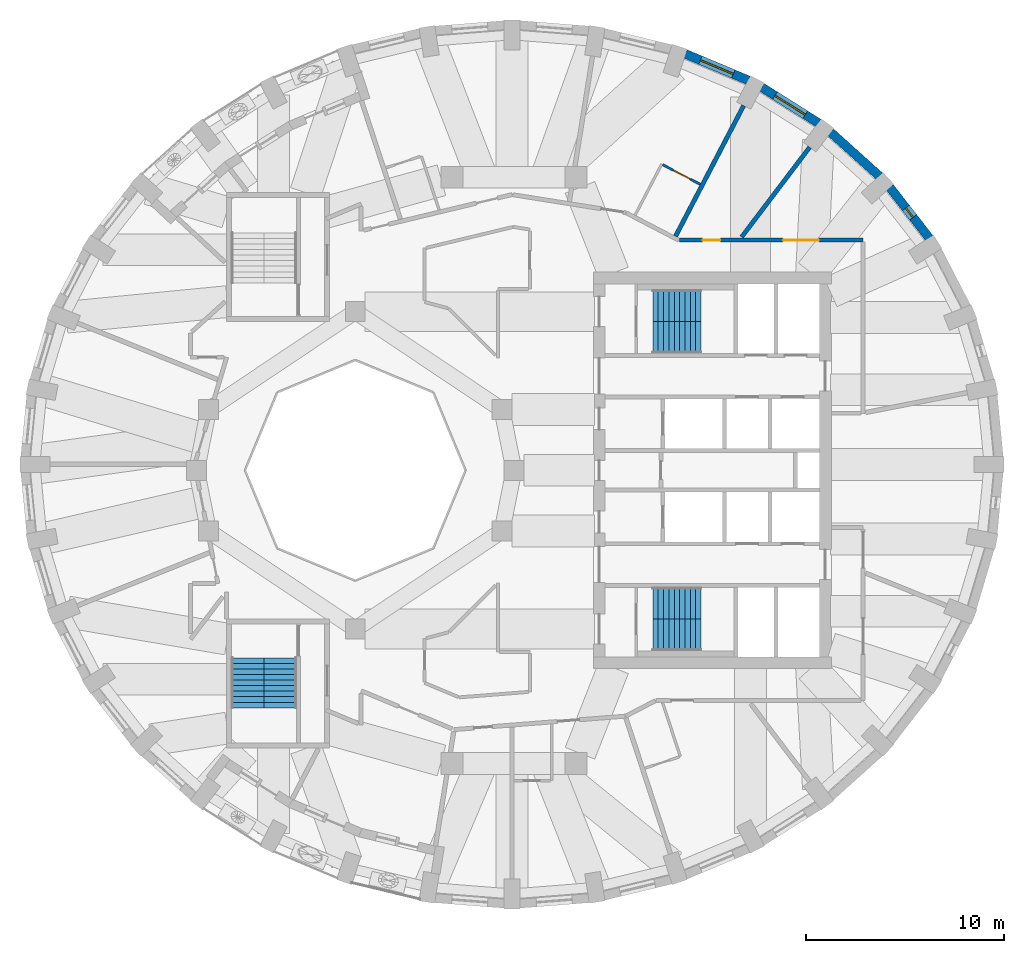
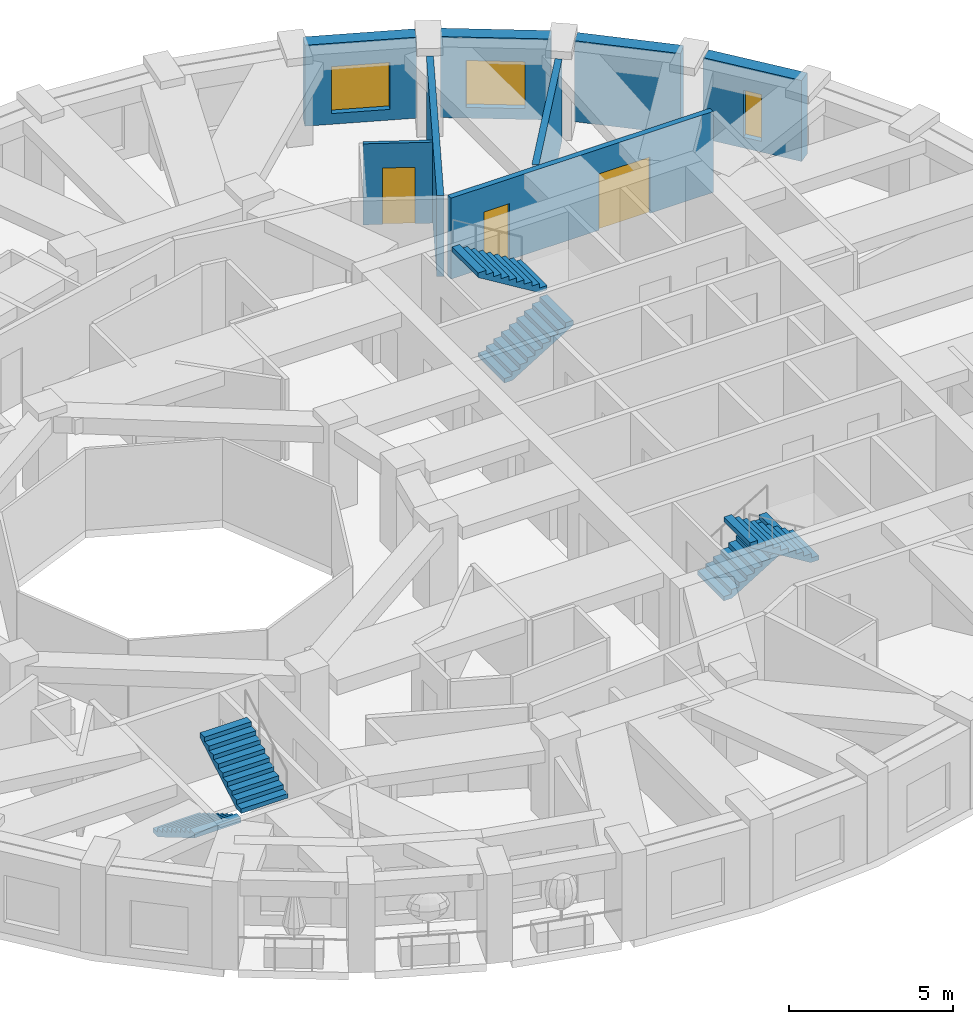
# One storey, part 8 of 12: 8 walls, 6 stair flights, 3 doors, 3 windows, 6 openings, 3 elements without a shape of their own.
"""IFC4 building model written with IfcOpenShell, lengths in metres."""

from ifc_helpers import new_model, si_unit, direction, frame, frame_2d, origin, place, context, subcontext, project, spatial, polyline, rectangle, outline, extrude, material, layer, layer_set, type_object, element, fill, aggregate, save


model = new_model("IFC4")

# Units and contexts
model_context = context("Model", 3, precision=1e-05, world=origin(), true_north=direction((0.0, 1.0)))
body_context = subcontext(model_context, "Body", "Model", "MODEL_VIEW")
ifc_project = project(units=[si_unit("LENGTHUNIT", "METRE"), si_unit("AREAUNIT", "SQUARE_METRE"), si_unit("VOLUMEUNIT", "CUBIC_METRE"), si_unit("PLANEANGLEUNIT", "RADIAN"), si_unit("MASSUNIT", "GRAM", prefix="KILO")], contexts=[model_context])

# Site, building, storey
site_placement = place(None, origin())
site = spatial("IfcSite", under=ifc_project, at=site_placement, CompositionType="ELEMENT")
building_placement = place(site_placement, origin())
building = spatial("IfcBuilding", under=site, at=building_placement, Name="Taillehof Tower", CompositionType="ELEMENT")
storey_placement = place(building_placement, frame((0.0, 0.0, 253.10009765625)))
storey = spatial("IfcBuildingStorey", under=building, at=storey_placement, Name="L72", CompositionType="ELEMENT", Elevation=253.10009765625)

# Wall, opening, window
ifc_material_1 = material(Name="Brick masonry", Category="masonry")
ifc_layer_1 = layer(ifc_material_1, 0.449951171875)
ifc_layer_set_1 = layer_set([ifc_layer_1], Name="Brick infill wall 450")
wall_type_1 = type_object("IfcWallType", Name="Brick infill wall 450", PredefinedType="SOLIDWALL", material=ifc_layer_set_1)
wall_1_placement = place(storey_placement, frame((20.93505859375, 11.70849609375, 0.0), z_axis=(0.0, 0.0, 1.0), x_axis=(-0.613862536705, 0.789412937587, 0.0)))
wall_1 = element("IfcWall", 1, at=wall_1_placement, inside=storey, type_object=wall_type_1, Name="Brick wall L72 bay 4", PredefinedType="SOLIDWALL", context=body_context, shape_type="SweptSolid", body=[
    extrude(rectangle(XDim=3.247314453125, YDim=0.449951171875, at=frame_2d((1.62353515625, 0.0))), origin(), (0.0, 0.0, 1.0), 3.02001953125),
])
opening_1_placement = place(wall_1_placement, frame((1.32373046875, 0.0, 0.39990234375)))
opening_1 = element("IfcOpeningElement", 2, at=opening_1_placement, cuts=wall_1, Name="Opening W6", PredefinedType="OPENING", context=body_context, shape_type="SweptSolid", body=[
    extrude(rectangle(XDim=0.60009765625, YDim=1.75, at=frame_2d((0.300048828125, 0.875))), frame((0.0, 0.23486328125, 0.0), z_axis=(0.0, -1.0, 0.0), x_axis=(1.0, 0.0, 0.0)), (0.0, 0.0, 1.0), 0.469970703125),
])
ifc_material_2 = material(Name="Aluminium window frame with clear double glazing", Category="aluminium")
window_type_1 = type_object("IfcWindowType", Name="Slot window 600x1750", PartitioningType="SINGLE_PANEL", PredefinedType="WINDOW", material=ifc_material_2)
window_1_placement = place(opening_1_placement, origin())
window_1 = element("IfcWindow", 3, at=window_1_placement, inside=storey, type_object=window_type_1, Name="W6", OverallHeight=1.75, OverallWidth=0.60009765625, PartitioningType="SINGLE_PANEL", PredefinedType="WINDOW", context=body_context, shape_type="SweptSolid", body=[
    extrude(rectangle(XDim=0.60009765625, YDim=1.75, at=frame_2d((0.300048828125, 0.875))), frame((0.0, 0.034912109375, 0.0), z_axis=(0.0, -1.0, 0.0), x_axis=(1.0, 0.0, 0.0)), (0.0, 0.0, 1.0), 0.06005859375),
])
fill(opening_1, window_1)

# Wall
wall_2_placement = place(storey_placement, frame((18.423828125, 14.828369140625, 0.0), z_axis=(0.0, 0.0, 1.0), x_axis=(-0.743166014219, 0.669107073128, 0.0)))
element("IfcWall", 4, at=wall_2_placement, inside=storey, type_object=wall_type_1, Name="Brick wall L72 bay 5", PredefinedType="SOLIDWALL", context=body_context, shape_type="SweptSolid", body=[
    extrude(rectangle(XDim=3.31640625, YDim=0.449951171875, at=frame_2d((1.658203125, 0.0))), origin(), (0.0, 0.0, 1.0), 3.02001953125),
])

# Wall, opening, window
wall_3_placement = place(storey_placement, frame((15.35302734375, 17.506103515625, 0.0), z_axis=(0.0, 0.0, 1.0), x_axis=(-0.845929139811, 0.53329531258, 0.0)))
wall_3 = element("IfcWall", 5, at=wall_3_placement, inside=storey, type_object=wall_type_1, Name="Brick wall L72 bay 6", PredefinedType="SOLIDWALL", context=body_context, shape_type="SweptSolid", body=[
    extrude(rectangle(XDim=3.384521484375, YDim=0.449951171875, at=frame_2d((1.6923828125, 0.0))), origin(), (0.0, 0.0, 1.0), 3.02001953125),
])
opening_2_placement = place(wall_3_placement, frame((0.792236328125, 0.0, 0.39990234375)))
opening_2 = element("IfcOpeningElement", 6, at=opening_2_placement, cuts=wall_3, Name="Opening W4", PredefinedType="OPENING", context=body_context, shape_type="SweptSolid", body=[
    extrude(rectangle(XDim=1.800048828125, YDim=1.75, at=frame_2d((0.89990234375, 0.875))), frame((0.0, 0.23486328125, 0.0), z_axis=(0.0, -1.0, 0.0), x_axis=(1.0, 0.0, 0.0)), (0.0, 0.0, 1.0), 0.469970703125),
])
ifc_material_3 = material(Name="Aluminium window frame with clear double glazing", Category="aluminium")
window_type_2 = type_object("IfcWindowType", Name="Deep-set window 1800x1750", PartitioningType="SINGLE_PANEL", PredefinedType="WINDOW", material=ifc_material_3)
window_2_placement = place(opening_2_placement, origin())
window_2 = element("IfcWindow", 7, at=window_2_placement, inside=storey, type_object=window_type_2, Name="W4", OverallHeight=1.75, OverallWidth=1.800048828125, PartitioningType="SINGLE_PANEL", PredefinedType="WINDOW", context=body_context, shape_type="SweptSolid", body=[
    extrude(rectangle(XDim=1.800048828125, YDim=1.75, at=frame_2d((0.89990234375, 0.875))), frame((0.0, 0.034912109375, 0.0), z_axis=(0.0, -1.0, 0.0), x_axis=(1.0, 0.0, 0.0)), (0.0, 0.0, 1.0), 0.06005859375),
])
fill(opening_2, window_2)

wall_4_placement = place(storey_placement, frame((11.815673828125, 19.661865234375, 0.0), z_axis=(0.0, 0.0, 1.0), x_axis=(-0.922024627475, 0.387131226239, 0.0)))
wall_4 = element("IfcWall", 8, at=wall_4_placement, inside=storey, type_object=wall_type_1, Name="Brick wall L72 bay 7", PredefinedType="SOLIDWALL", context=body_context, shape_type="SweptSolid", body=[
    extrude(rectangle(XDim=3.443359375, YDim=0.449951171875, at=frame_2d((1.7216796875, 0.0))), origin(), (0.0, 0.0, 1.0), 3.02001953125),
])
opening_3_placement = place(wall_4_placement, frame((0.82177734375, 0.0, 0.39990234375)))
opening_3 = element("IfcOpeningElement", 9, at=opening_3_placement, cuts=wall_4, Name="Opening W4", PredefinedType="OPENING", context=body_context, shape_type="SweptSolid", body=[
    extrude(rectangle(XDim=1.800048828125, YDim=1.75, at=frame_2d((0.89990234375, 0.875))), frame((0.0, 0.23486328125, 0.0), z_axis=(0.0, -1.0, 0.0), x_axis=(1.0, 0.0, 0.0)), (0.0, 0.0, 1.0), 0.469970703125),
])
window_3_placement = place(opening_3_placement, origin())
window_3 = element("IfcWindow", 10, at=window_3_placement, inside=storey, type_object=window_type_2, Name="W4", OverallHeight=1.75, OverallWidth=1.800048828125, PartitioningType="SINGLE_PANEL", PredefinedType="WINDOW", context=body_context, shape_type="SweptSolid", body=[
    extrude(rectangle(XDim=1.800048828125, YDim=1.75, at=frame_2d((0.89990234375, 0.875))), frame((0.0, 0.034912109375, 0.0), z_axis=(0.0, -1.0, 0.0), x_axis=(1.0, 0.0, 0.0)), (0.0, 0.0, 1.0), 0.06005859375),
])
fill(opening_3, window_3)

# Wall, openings, doors
ifc_material_4 = material(Name="Gypsum board on steel studs, two layers each side", Category="steel")
ifc_layer_2 = layer(ifc_material_4, 0.199951171875)
ifc_layer_set_2 = layer_set([ifc_layer_2], Name="Compartment wall corridor 200")
wall_type_2 = type_object("IfcWallType", Name="Compartment wall corridor 200", PredefinedType="PARTITIONING", material=ifc_layer_set_2)
wall_5_placement = place(storey_placement, frame((8.34619140625, 11.60009765625, 0.0), z_axis=(0.0, 0.0, 1.0), x_axis=(1.0, 0.0, 0.0)))
wall_5 = element("IfcWall", 11, at=wall_5_placement, inside=storey, type_object=wall_type_2, Name="Compartment wall", PredefinedType="PARTITIONING", context=body_context, shape_type="SweptSolid", body=[
    extrude(rectangle(XDim=9.25390625, YDim=0.199951171875, at=frame_2d((4.626953125, 0.0))), origin(), (0.0, 0.0, 1.0), 3.02001953125),
])
opening_4_placement = place(wall_5_placement, frame((1.162353515625, 0.0, 0.0)))
opening_4 = element("IfcOpeningElement", 12, at=opening_4_placement, cuts=wall_5, Name="Opening D7240", PredefinedType="OPENING", context=body_context, shape_type="SweptSolid", body=[
    extrude(rectangle(XDim=0.89990234375, YDim=2.10009765625, at=frame_2d((0.449951171875, 1.050048828125))), frame((0.0, 0.10986328125, 0.0), z_axis=(0.0, -1.0, 0.0), x_axis=(1.0, 0.0, 0.0)), (0.0, 0.0, 1.0), 0.219970703125),
])
opening_5_placement = place(wall_5_placement, frame((5.224365234375, 0.0, 0.0)))
opening_5 = element("IfcOpeningElement", 13, at=opening_5_placement, cuts=wall_5, Name="Opening D7258", PredefinedType="OPENING", context=body_context, shape_type="SweptSolid", body=[
    extrude(rectangle(XDim=1.800048828125, YDim=2.10009765625, at=frame_2d((0.89990234375, 1.050048828125))), frame((0.0, 0.10986328125, 0.0), z_axis=(0.0, -1.0, 0.0), x_axis=(1.0, 0.0, 0.0)), (0.0, 0.0, 1.0), 0.219970703125),
])
ifc_material_5 = material(Name="Timber door leaf in steel frame", Category="steel")
door_type_1 = type_object("IfcDoorType", Name="Lounge and meeting room double door EI 30 1800 x 2100", OperationType="SINGLE_SWING_LEFT", PredefinedType="DOOR", material=ifc_material_5)
door_1_placement = place(opening_5_placement, origin())
door_1 = element("IfcDoor", 14, at=door_1_placement, inside=storey, type_object=door_type_1, Name="D7258", OperationType="DOUBLE_DOOR_SINGLE_SWING", OverallHeight=2.10009765625, OverallWidth=1.800048828125, PredefinedType="DOOR", context=body_context, shape_type="SweptSolid", body=[
    extrude(rectangle(XDim=1.800048828125, YDim=2.10009765625, at=frame_2d((0.89990234375, 1.050048828125))), frame((0.0, 0.02490234375, 0.0), z_axis=(0.0, -1.0, 0.0), x_axis=(1.0, 0.0, 0.0)), (0.0, 0.0, 1.0), 0.050048828125),
])
fill(opening_5, door_1)
ifc_material_6 = material(Name="Timber door leaf in steel frame", Category="steel")
door_type_2 = type_object("IfcDoorType", Name="Service room door EI 30 900 x 2100", OperationType="SINGLE_SWING_LEFT", PredefinedType="DOOR", material=ifc_material_6)
door_2_placement = place(opening_4_placement, origin())
door_2 = element("IfcDoor", 15, at=door_2_placement, inside=storey, type_object=door_type_2, Name="D7240", OperationType="SINGLE_SWING_RIGHT", OverallHeight=2.10009765625, OverallWidth=0.89990234375, PredefinedType="DOOR", context=body_context, shape_type="SweptSolid", body=[
    extrude(rectangle(XDim=0.89990234375, YDim=2.10009765625, at=frame_2d((0.449951171875, 1.050048828125))), frame((0.0, 0.02490234375, 0.0), z_axis=(0.0, -1.0, 0.0), x_axis=(1.0, 0.0, 0.0)), (0.0, 0.0, 1.0), 0.050048828125),
])
fill(opening_4, door_2)

# Walls
ifc_material_7 = material(Name="Gypsum board on double steel studs with mineral wool", Category="steel")
ifc_layer_3 = layer(ifc_material_7, 0.219970703125)
ifc_layer_set_3 = layer_set([ifc_layer_3], Name="Compartment wall guest room 220")
wall_type_3 = type_object("IfcWallType", Name="Compartment wall guest room 220", PredefinedType="PARTITIONING", material=ifc_layer_set_3)
wall_6_placement = place(storey_placement, frame((14.906005859375, 16.287109375, 0.0), z_axis=(0.0, 0.0, 1.0), x_axis=(-0.604066355306, -0.796934023861, 0.0)))
element("IfcWall", 16, at=wall_6_placement, inside=storey, type_object=wall_type_3, Name="Compartment wall", PredefinedType="PARTITIONING", context=body_context, shape_type="SweptSolid", body=[
    extrude(rectangle(XDim=5.676025390625, YDim=0.219970703125, at=frame_2d((2.837890625, 0.0))), origin(), (0.0, 0.0, 1.0), 3.02001953125),
])
wall_7_placement = place(storey_placement, frame((11.578125, 18.384521484375, 0.0), z_axis=(0.0, 0.0, 1.0), x_axis=(-0.462371689287, -0.886686202073, 0.0)))
element("IfcWall", 17, at=wall_7_placement, inside=storey, type_object=wall_type_3, Name="Compartment wall", PredefinedType="PARTITIONING", context=body_context, shape_type="SweptSolid", body=[
    extrude(rectangle(XDim=7.4287109375, YDim=0.219970703125, at=frame_2d((3.71435546875, 0.0))), origin(), (0.0, 0.0, 1.0), 3.02001953125),
])

# Wall, opening, door
ifc_material_8 = material(Name="Gypsum board on steel studs, moisture resistant", Category="steel")
ifc_layer_4 = layer(ifc_material_8, 0.1201171875)
ifc_layer_set_4 = layer_set([ifc_layer_4], Name="En-suite wall 120")
wall_type_4 = type_object("IfcWallType", Name="En-suite wall 120", PredefinedType="PARTITIONING", material=ifc_layer_set_4)
wall_8_placement = place(storey_placement, frame((7.498046875, 15.404541015625, 0.0), z_axis=(0.0, 0.0, 1.0), x_axis=(0.886662502683, -0.46241713456, 0.0)))
wall_8 = element("IfcWall", 18, at=wall_8_placement, inside=storey, type_object=wall_type_4, Name="En-suite wall", PredefinedType="PARTITIONING", context=body_context, shape_type="SweptSolid", body=[
    extrude(rectangle(XDim=2.1298828125, YDim=0.1201171875, at=frame_2d((1.06494140625, 0.0))), origin(), (0.0, 0.0, 1.0), 3.02001953125),
])
opening_6_placement = place(wall_8_placement, frame((0.58984375, 0.0, 0.0)))
opening_6 = element("IfcOpeningElement", 19, at=opening_6_placement, cuts=wall_8, Name="Opening D7242", PredefinedType="OPENING", context=body_context, shape_type="SweptSolid", body=[
    extrude(rectangle(XDim=1.0, YDim=2.10009765625, at=frame_2d((0.5, 1.050048828125))), frame((0.0, 0.070068359375, 0.0), z_axis=(0.0, -1.0, 0.0), x_axis=(1.0, 0.0, 0.0)), (0.0, 0.0, 1.0), 0.14013671875),
])
ifc_material_9 = material(Name="Timber door leaf in steel frame", Category="steel")
door_type_3 = type_object("IfcDoorType", Name="Accessible en-suite door 1000 x 2100", OperationType="SINGLE_SWING_LEFT", PredefinedType="DOOR", material=ifc_material_9)
door_3_placement = place(opening_6_placement, origin())
door_3 = element("IfcDoor", 20, at=door_3_placement, inside=storey, type_object=door_type_3, Name="D7242", OperationType="SINGLE_SWING_RIGHT", OverallHeight=2.10009765625, OverallWidth=1.0, PredefinedType="DOOR", context=body_context, shape_type="SweptSolid", body=[
    extrude(rectangle(XDim=1.0, YDim=2.10009765625, at=frame_2d((0.5, 1.050048828125))), frame((0.0, 0.02490234375, 0.0), z_axis=(0.0, -1.0, 0.0), x_axis=(1.0, 0.0, 0.0)), (0.0, 0.0, 1.0), 0.050048828125),
])
fill(opening_6, door_3)

# Stair, stair flights
ifc_material_10 = material(Name="Concrete C40/50", Category="concrete")
stair_type = type_object("IfcStairType", Name="Exit stair half-turn", PredefinedType="HALF_TURN_STAIR", material=ifc_material_10)
stair_1_placement = place(storey_placement, origin())
stair_1 = element("IfcStair", 21, at=stair_1_placement, inside=storey, type_object=stair_type, Name="Exit stair S1", PredefinedType="HALF_TURN_STAIR")
ifc_material_11 = material(Name="Concrete C40/50", Category="concrete")
stair_flight_type_1 = type_object("IfcStairFlightType", Name="Stair flight 1600 riser 165.0 going 270", PredefinedType="STRAIGHT", material=ifc_material_11)
stair_flight_1_placement = place(storey_placement, frame((7.0, 6.699951171875, 0.0), z_axis=(0.0, 0.0, 1.0), x_axis=(1.0, 0.0, 0.0)))
stair_flight_1 = element("IfcStairFlight", 22, at=stair_flight_1_placement, type_object=stair_flight_type_1, Name="S1 flight 1", NumberOfRisers=10, NumberOfTreads=9, PredefinedType="STRAIGHT", RiserHeight=0.165, TreadLength=0.27, context=body_context, shape_type="SweptSolid", body=[
    extrude(outline(polyline([(0.0, 0.0), (0.0, 0.00537109375), (0.0, 0.0107421875), (0.0, 0.015869140625), (0.0, 0.021240234375), (0.0, 0.026611328125), (0.0, 0.031982421875), (0.0, 0.037353515625), (0.0, 0.04248046875), (0.0, 0.0478515625), (0.0, 0.05322265625), (0.0, 0.05859375), (0.0, 0.06396484375), (0.0, 0.069091796875), (0.0, 0.074462890625), (0.0, 0.079833984375), (0.0, 0.085205078125), (0.0, 0.090576171875), (0.0, 0.095703125), (0.0, 0.10107421875), (0.0, 0.1064453125), (0.0, 0.11181640625), (0.0, 0.1171875), (0.0, 0.122314453125), (0.0, 0.127685546875), (0.0, 0.133056640625), (0.0, 0.138427734375), (0.0, 0.143798828125), (0.0, 0.14892578125), (0.0, 0.154296875), (0.0, 0.15966796875), (0.0, 0.1650390625), (0.27001953125, 0.1650390625), (0.27001953125, 0.330078125), (0.5400390625, 0.330078125), (0.5400390625, 0.4951171875), (0.81005859375, 0.4951171875), (0.81005859375, 0.659912109375), (1.080078125, 0.659912109375), (1.080078125, 0.824951171875), (1.35009765625, 0.824951171875), (1.35009765625, 0.989990234375), (1.6201171875, 0.989990234375), (1.6201171875, 1.155029296875), (1.889892578125, 1.155029296875), (1.889892578125, 1.320068359375), (2.159912109375, 1.320068359375), (2.159912109375, 1.485107421875), (2.429931640625, 1.485107421875), (2.429931640625, 1.479248046875), (2.429931640625, 1.4736328125), (2.429931640625, 1.468017578125), (2.429931640625, 1.46240234375), (2.429931640625, 1.45654296875), (2.429931640625, 1.450927734375), (2.429931640625, 1.4453125), (2.429931640625, 1.439697265625), (2.429931640625, 1.43408203125), (2.429931640625, 1.42822265625), (2.429931640625, 1.422607421875), (2.429931640625, 1.4169921875), (2.429931640625, 1.411376953125), (2.429931640625, 1.40576171875), (2.429931640625, 1.39990234375), (2.429931640625, 1.394287109375), (2.429931640625, 1.388671875), (2.429931640625, 1.383056640625), (2.429931640625, 1.37744140625), (2.429931640625, 1.37158203125), (2.429931640625, 1.365966796875), (2.429931640625, 1.3603515625), (2.429931640625, 1.354736328125), (2.429931640625, 1.348876953125), (2.429931640625, 1.34326171875), (2.429931640625, 1.337646484375), (2.429931640625, 1.33203125), (2.429931640625, 1.326416015625), (2.429931640625, 1.320556640625), (2.429931640625, 1.31494140625), (2.429931640625, 1.309326171875), (0.287353515625, 0.0), (0.0, 0.0)])), frame((0.0, 0.800048828125, 0.0), z_axis=(0.0, -1.0, 0.0), x_axis=(1.0, 0.0, 0.0)), (0.0, 0.0, 1.0), 1.6),
])
stair_flight_2_placement = place(storey_placement, frame((9.429931640625, 8.300048828125, 1.64990234375), z_axis=(0.0, 0.0, 1.0), x_axis=(-1.0, 0.0, 0.0)))
stair_flight_2 = element("IfcStairFlight", 23, at=stair_flight_2_placement, type_object=stair_flight_type_1, Name="S1 flight 2", NumberOfRisers=10, NumberOfTreads=9, PredefinedType="STRAIGHT", RiserHeight=0.165, TreadLength=0.27, context=body_context, shape_type="SweptSolid", body=[
    extrude(outline(polyline([(0.0, 0.0), (0.0, 0.00537109375), (0.0, 0.0107421875), (0.0, 0.015869140625), (0.0, 0.021240234375), (0.0, 0.026611328125), (0.0, 0.031982421875), (0.0, 0.037353515625), (0.0, 0.04248046875), (0.0, 0.0478515625), (0.0, 0.05322265625), (0.0, 0.05859375), (0.0, 0.06396484375), (0.0, 0.069091796875), (0.0, 0.074462890625), (0.0, 0.079833984375), (0.0, 0.085205078125), (0.0, 0.090576171875), (0.0, 0.095703125), (0.0, 0.10107421875), (0.0, 0.1064453125), (0.0, 0.11181640625), (0.0, 0.1171875), (0.0, 0.122314453125), (0.0, 0.127685546875), (0.0, 0.133056640625), (0.0, 0.138427734375), (0.0, 0.143798828125), (0.0, 0.14892578125), (0.0, 0.154296875), (0.0, 0.15966796875), (0.0, 0.1650390625), (0.27001953125, 0.1650390625), (0.27001953125, 0.330078125), (0.5400390625, 0.330078125), (0.5400390625, 0.4951171875), (0.81005859375, 0.4951171875), (0.81005859375, 0.659912109375), (1.080078125, 0.659912109375), (1.080078125, 0.824951171875), (1.35009765625, 0.824951171875), (1.35009765625, 0.989990234375), (1.6201171875, 0.989990234375), (1.6201171875, 1.155029296875), (1.889892578125, 1.155029296875), (1.889892578125, 1.320068359375), (2.159912109375, 1.320068359375), (2.159912109375, 1.485107421875), (2.429931640625, 1.485107421875), (2.429931640625, 1.479248046875), (2.429931640625, 1.4736328125), (2.429931640625, 1.468017578125), (2.429931640625, 1.46240234375), (2.429931640625, 1.45654296875), (2.429931640625, 1.450927734375), (2.429931640625, 1.4453125), (2.429931640625, 1.439697265625), (2.429931640625, 1.43408203125), (2.429931640625, 1.42822265625), (2.429931640625, 1.422607421875), (2.429931640625, 1.4169921875), (2.429931640625, 1.411376953125), (2.429931640625, 1.40576171875), (2.429931640625, 1.39990234375), (2.429931640625, 1.394287109375), (2.429931640625, 1.388671875), (2.429931640625, 1.383056640625), (2.429931640625, 1.37744140625), (2.429931640625, 1.37158203125), (2.429931640625, 1.365966796875), (2.429931640625, 1.3603515625), (2.429931640625, 1.354736328125), (2.429931640625, 1.348876953125), (2.429931640625, 1.34326171875), (2.429931640625, 1.337646484375), (2.429931640625, 1.33203125), (2.429931640625, 1.326416015625), (2.429931640625, 1.320556640625), (2.429931640625, 1.31494140625), (2.429931640625, 1.309326171875), (0.287353515625, 0.0), (0.0, 0.0)])), frame((0.0, 0.800048828125, 0.0), z_axis=(0.0, -1.0, 0.0), x_axis=(1.0, 0.0, 0.0)), (0.0, 0.0, 1.0), 1.6),
])
aggregate(stair_1, [stair_flight_1, stair_flight_2])

stair_2_placement = place(storey_placement, origin())
stair_2 = element("IfcStair", 24, at=stair_2_placement, inside=storey, type_object=stair_type, Name="Exit stair S2", PredefinedType="HALF_TURN_STAIR")
stair_flight_3_placement = place(storey_placement, frame((7.0, -6.699951171875, 0.0), z_axis=(0.0, 0.0, 1.0), x_axis=(1.0, 0.0, 0.0)))
stair_flight_3 = element("IfcStairFlight", 25, at=stair_flight_3_placement, type_object=stair_flight_type_1, Name="S2 flight 1", NumberOfRisers=10, NumberOfTreads=9, PredefinedType="STRAIGHT", RiserHeight=0.165, TreadLength=0.27, context=body_context, shape_type="SweptSolid", body=[
    extrude(outline(polyline([(0.0, 0.0), (0.0, 0.00537109375), (0.0, 0.0107421875), (0.0, 0.015869140625), (0.0, 0.021240234375), (0.0, 0.026611328125), (0.0, 0.031982421875), (0.0, 0.037353515625), (0.0, 0.04248046875), (0.0, 0.0478515625), (0.0, 0.05322265625), (0.0, 0.05859375), (0.0, 0.06396484375), (0.0, 0.069091796875), (0.0, 0.074462890625), (0.0, 0.079833984375), (0.0, 0.085205078125), (0.0, 0.090576171875), (0.0, 0.095703125), (0.0, 0.10107421875), (0.0, 0.1064453125), (0.0, 0.11181640625), (0.0, 0.1171875), (0.0, 0.122314453125), (0.0, 0.127685546875), (0.0, 0.133056640625), (0.0, 0.138427734375), (0.0, 0.143798828125), (0.0, 0.14892578125), (0.0, 0.154296875), (0.0, 0.15966796875), (0.0, 0.1650390625), (0.27001953125, 0.1650390625), (0.27001953125, 0.330078125), (0.5400390625, 0.330078125), (0.5400390625, 0.4951171875), (0.81005859375, 0.4951171875), (0.81005859375, 0.659912109375), (1.080078125, 0.659912109375), (1.080078125, 0.824951171875), (1.35009765625, 0.824951171875), (1.35009765625, 0.989990234375), (1.6201171875, 0.989990234375), (1.6201171875, 1.155029296875), (1.889892578125, 1.155029296875), (1.889892578125, 1.320068359375), (2.159912109375, 1.320068359375), (2.159912109375, 1.485107421875), (2.429931640625, 1.485107421875), (2.429931640625, 1.479248046875), (2.429931640625, 1.4736328125), (2.429931640625, 1.468017578125), (2.429931640625, 1.46240234375), (2.429931640625, 1.45654296875), (2.429931640625, 1.450927734375), (2.429931640625, 1.4453125), (2.429931640625, 1.439697265625), (2.429931640625, 1.43408203125), (2.429931640625, 1.42822265625), (2.429931640625, 1.422607421875), (2.429931640625, 1.4169921875), (2.429931640625, 1.411376953125), (2.429931640625, 1.40576171875), (2.429931640625, 1.39990234375), (2.429931640625, 1.394287109375), (2.429931640625, 1.388671875), (2.429931640625, 1.383056640625), (2.429931640625, 1.37744140625), (2.429931640625, 1.37158203125), (2.429931640625, 1.365966796875), (2.429931640625, 1.3603515625), (2.429931640625, 1.354736328125), (2.429931640625, 1.348876953125), (2.429931640625, 1.34326171875), (2.429931640625, 1.337646484375), (2.429931640625, 1.33203125), (2.429931640625, 1.326416015625), (2.429931640625, 1.320556640625), (2.429931640625, 1.31494140625), (2.429931640625, 1.309326171875), (0.287353515625, 0.0), (0.0, 0.0)])), frame((0.0, 0.800048828125, 0.0), z_axis=(0.0, -1.0, 0.0), x_axis=(1.0, 0.0, 0.0)), (0.0, 0.0, 1.0), 1.6),
])
stair_flight_4_placement = place(storey_placement, frame((9.429931640625, -8.300048828125, 1.64990234375), z_axis=(0.0, 0.0, 1.0), x_axis=(-1.0, 0.0, 0.0)))
stair_flight_4 = element("IfcStairFlight", 26, at=stair_flight_4_placement, type_object=stair_flight_type_1, Name="S2 flight 2", NumberOfRisers=10, NumberOfTreads=9, PredefinedType="STRAIGHT", RiserHeight=0.165, TreadLength=0.27, context=body_context, shape_type="SweptSolid", body=[
    extrude(outline(polyline([(0.0, 0.0), (0.0, 0.00537109375), (0.0, 0.0107421875), (0.0, 0.015869140625), (0.0, 0.021240234375), (0.0, 0.026611328125), (0.0, 0.031982421875), (0.0, 0.037353515625), (0.0, 0.04248046875), (0.0, 0.0478515625), (0.0, 0.05322265625), (0.0, 0.05859375), (0.0, 0.06396484375), (0.0, 0.069091796875), (0.0, 0.074462890625), (0.0, 0.079833984375), (0.0, 0.085205078125), (0.0, 0.090576171875), (0.0, 0.095703125), (0.0, 0.10107421875), (0.0, 0.1064453125), (0.0, 0.11181640625), (0.0, 0.1171875), (0.0, 0.122314453125), (0.0, 0.127685546875), (0.0, 0.133056640625), (0.0, 0.138427734375), (0.0, 0.143798828125), (0.0, 0.14892578125), (0.0, 0.154296875), (0.0, 0.15966796875), (0.0, 0.1650390625), (0.27001953125, 0.1650390625), (0.27001953125, 0.330078125), (0.5400390625, 0.330078125), (0.5400390625, 0.4951171875), (0.81005859375, 0.4951171875), (0.81005859375, 0.659912109375), (1.080078125, 0.659912109375), (1.080078125, 0.824951171875), (1.35009765625, 0.824951171875), (1.35009765625, 0.989990234375), (1.6201171875, 0.989990234375), (1.6201171875, 1.155029296875), (1.889892578125, 1.155029296875), (1.889892578125, 1.320068359375), (2.159912109375, 1.320068359375), (2.159912109375, 1.485107421875), (2.429931640625, 1.485107421875), (2.429931640625, 1.479248046875), (2.429931640625, 1.4736328125), (2.429931640625, 1.468017578125), (2.429931640625, 1.46240234375), (2.429931640625, 1.45654296875), (2.429931640625, 1.450927734375), (2.429931640625, 1.4453125), (2.429931640625, 1.439697265625), (2.429931640625, 1.43408203125), (2.429931640625, 1.42822265625), (2.429931640625, 1.422607421875), (2.429931640625, 1.4169921875), (2.429931640625, 1.411376953125), (2.429931640625, 1.40576171875), (2.429931640625, 1.39990234375), (2.429931640625, 1.394287109375), (2.429931640625, 1.388671875), (2.429931640625, 1.383056640625), (2.429931640625, 1.37744140625), (2.429931640625, 1.37158203125), (2.429931640625, 1.365966796875), (2.429931640625, 1.3603515625), (2.429931640625, 1.354736328125), (2.429931640625, 1.348876953125), (2.429931640625, 1.34326171875), (2.429931640625, 1.337646484375), (2.429931640625, 1.33203125), (2.429931640625, 1.326416015625), (2.429931640625, 1.320556640625), (2.429931640625, 1.31494140625), (2.429931640625, 1.309326171875), (0.287353515625, 0.0), (0.0, 0.0)])), frame((0.0, 0.800048828125, 0.0), z_axis=(0.0, -1.0, 0.0), x_axis=(1.0, 0.0, 0.0)), (0.0, 0.0, 1.0), 1.6),
])
aggregate(stair_2, [stair_flight_3, stair_flight_4])

stair_3_placement = place(storey_placement, origin())
stair_3 = element("IfcStair", 27, at=stair_3_placement, inside=storey, type_object=stair_type, Name="Exit stair S4", PredefinedType="HALF_TURN_STAIR")
ifc_material_12 = material(Name="Concrete C40/50", Category="concrete")
stair_flight_type_2 = type_object("IfcStairFlightType", Name="Stair flight 1650 riser 165.0 going 280", PredefinedType="STRAIGHT", material=ifc_material_12)
stair_flight_5_placement = place(storey_placement, frame((-13.425048828125, -9.449951171875, 0.0), z_axis=(0.0, 0.0, 1.0), x_axis=(0.0, -1.0, 0.0)))
stair_flight_5 = element("IfcStairFlight", 28, at=stair_flight_5_placement, type_object=stair_flight_type_2, Name="S4 flight 1", NumberOfRisers=10, NumberOfTreads=9, PredefinedType="STRAIGHT", RiserHeight=0.165, TreadLength=0.28, context=body_context, shape_type="SweptSolid", body=[
    extrude(outline(polyline([(0.0, 0.0), (0.0, 0.00537109375), (0.0, 0.0107421875), (0.0, 0.015869140625), (0.0, 0.021240234375), (0.0, 0.026611328125), (0.0, 0.031982421875), (0.0, 0.037353515625), (0.0, 0.04248046875), (0.0, 0.0478515625), (0.0, 0.05322265625), (0.0, 0.05859375), (0.0, 0.06396484375), (0.0, 0.069091796875), (0.0, 0.074462890625), (0.0, 0.079833984375), (0.0, 0.085205078125), (0.0, 0.090576171875), (0.0, 0.095703125), (0.0, 0.10107421875), (0.0, 0.1064453125), (0.0, 0.11181640625), (0.0, 0.1171875), (0.0, 0.122314453125), (0.0, 0.127685546875), (0.0, 0.133056640625), (0.0, 0.138427734375), (0.0, 0.143798828125), (0.0, 0.14892578125), (0.0, 0.154296875), (0.0, 0.15966796875), (0.0, 0.1650390625), (0.280029296875, 0.1650390625), (0.280029296875, 0.330078125), (0.56005859375, 0.330078125), (0.56005859375, 0.4951171875), (0.840087890625, 0.4951171875), (0.840087890625, 0.659912109375), (1.1201171875, 0.659912109375), (1.1201171875, 0.824951171875), (1.39990234375, 0.824951171875), (1.39990234375, 0.989990234375), (1.679931640625, 0.989990234375), (1.679931640625, 1.155029296875), (1.9599609375, 1.155029296875), (1.9599609375, 1.320068359375), (2.239990234375, 1.320068359375), (2.239990234375, 1.485107421875), (2.52001953125, 1.485107421875), (2.52001953125, 1.4794921875), (2.52001953125, 1.473876953125), (2.52001953125, 1.46826171875), (2.52001953125, 1.462646484375), (2.52001953125, 1.45703125), (2.52001953125, 1.451416015625), (2.52001953125, 1.44580078125), (2.52001953125, 1.440185546875), (2.52001953125, 1.4345703125), (2.52001953125, 1.428955078125), (2.52001953125, 1.42333984375), (2.52001953125, 1.417724609375), (2.52001953125, 1.412109375), (2.52001953125, 1.406494140625), (2.52001953125, 1.40087890625), (2.52001953125, 1.395263671875), (2.52001953125, 1.3896484375), (2.52001953125, 1.384033203125), (2.52001953125, 1.37841796875), (2.52001953125, 1.372802734375), (2.52001953125, 1.3671875), (2.52001953125, 1.361572265625), (2.52001953125, 1.35595703125), (2.52001953125, 1.350341796875), (2.52001953125, 1.3447265625), (2.52001953125, 1.339111328125), (2.52001953125, 1.33349609375), (2.52001953125, 1.327880859375), (2.52001953125, 1.322265625), (2.52001953125, 1.316650390625), (2.52001953125, 1.31103515625), (0.295166015625, 0.0), (0.0, 0.0)])), frame((0.0, 0.824951171875, 0.0), z_axis=(0.0, -1.0, 0.0), x_axis=(1.0, 0.0, 0.0)), (0.0, 0.0, 1.0), 1.65),
])
stair_flight_6_placement = place(storey_placement, frame((-11.77490234375, -11.969970703125, 1.64990234375), z_axis=(0.0, 0.0, 1.0), x_axis=(0.0, 1.0, 0.0)))
stair_flight_6 = element("IfcStairFlight", 29, at=stair_flight_6_placement, type_object=stair_flight_type_2, Name="S4 flight 2", NumberOfRisers=10, NumberOfTreads=9, PredefinedType="STRAIGHT", RiserHeight=0.165, TreadLength=0.28, context=body_context, shape_type="SweptSolid", body=[
    extrude(outline(polyline([(0.0, 0.0), (0.0, 0.00537109375), (0.0, 0.0107421875), (0.0, 0.015869140625), (0.0, 0.021240234375), (0.0, 0.026611328125), (0.0, 0.031982421875), (0.0, 0.037353515625), (0.0, 0.04248046875), (0.0, 0.0478515625), (0.0, 0.05322265625), (0.0, 0.05859375), (0.0, 0.06396484375), (0.0, 0.069091796875), (0.0, 0.074462890625), (0.0, 0.079833984375), (0.0, 0.085205078125), (0.0, 0.090576171875), (0.0, 0.095703125), (0.0, 0.10107421875), (0.0, 0.1064453125), (0.0, 0.11181640625), (0.0, 0.1171875), (0.0, 0.122314453125), (0.0, 0.127685546875), (0.0, 0.133056640625), (0.0, 0.138427734375), (0.0, 0.143798828125), (0.0, 0.14892578125), (0.0, 0.154296875), (0.0, 0.15966796875), (0.0, 0.1650390625), (0.280029296875, 0.1650390625), (0.280029296875, 0.330078125), (0.56005859375, 0.330078125), (0.56005859375, 0.4951171875), (0.840087890625, 0.4951171875), (0.840087890625, 0.659912109375), (1.1201171875, 0.659912109375), (1.1201171875, 0.824951171875), (1.39990234375, 0.824951171875), (1.39990234375, 0.989990234375), (1.679931640625, 0.989990234375), (1.679931640625, 1.155029296875), (1.9599609375, 1.155029296875), (1.9599609375, 1.320068359375), (2.239990234375, 1.320068359375), (2.239990234375, 1.485107421875), (2.52001953125, 1.485107421875), (2.52001953125, 1.4794921875), (2.52001953125, 1.473876953125), (2.52001953125, 1.46826171875), (2.52001953125, 1.462646484375), (2.52001953125, 1.45703125), (2.52001953125, 1.451416015625), (2.52001953125, 1.44580078125), (2.52001953125, 1.440185546875), (2.52001953125, 1.4345703125), (2.52001953125, 1.428955078125), (2.52001953125, 1.42333984375), (2.52001953125, 1.417724609375), (2.52001953125, 1.412109375), (2.52001953125, 1.406494140625), (2.52001953125, 1.40087890625), (2.52001953125, 1.395263671875), (2.52001953125, 1.3896484375), (2.52001953125, 1.384033203125), (2.52001953125, 1.37841796875), (2.52001953125, 1.372802734375), (2.52001953125, 1.3671875), (2.52001953125, 1.361572265625), (2.52001953125, 1.35595703125), (2.52001953125, 1.350341796875), (2.52001953125, 1.3447265625), (2.52001953125, 1.339111328125), (2.52001953125, 1.33349609375), (2.52001953125, 1.327880859375), (2.52001953125, 1.322265625), (2.52001953125, 1.316650390625), (2.52001953125, 1.31103515625), (0.295166015625, 0.0), (0.0, 0.0)])), frame((0.0, 0.824951171875, 0.0), z_axis=(0.0, -1.0, 0.0), x_axis=(1.0, 0.0, 0.0)), (0.0, 0.0, 1.0), 1.65),
])
aggregate(stair_3, [stair_flight_5, stair_flight_6])

save(model, "model.ifc")
